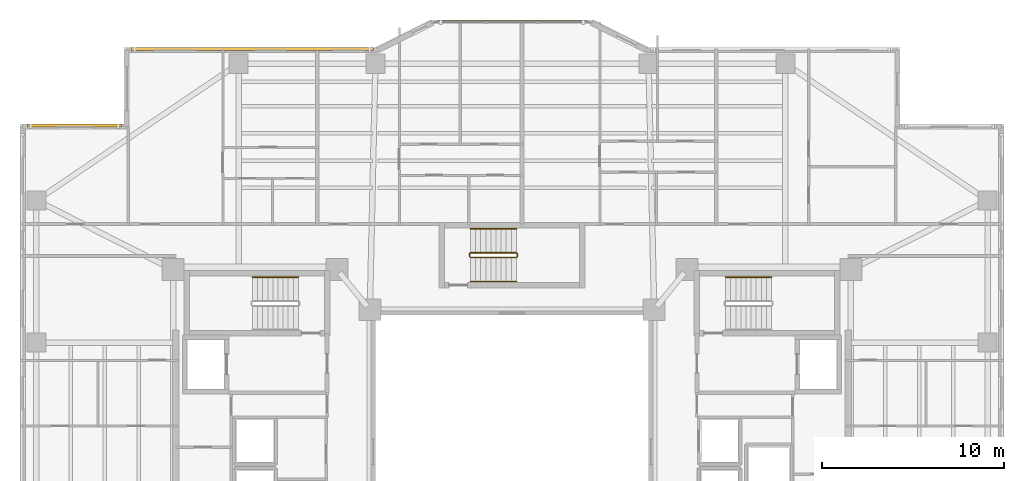
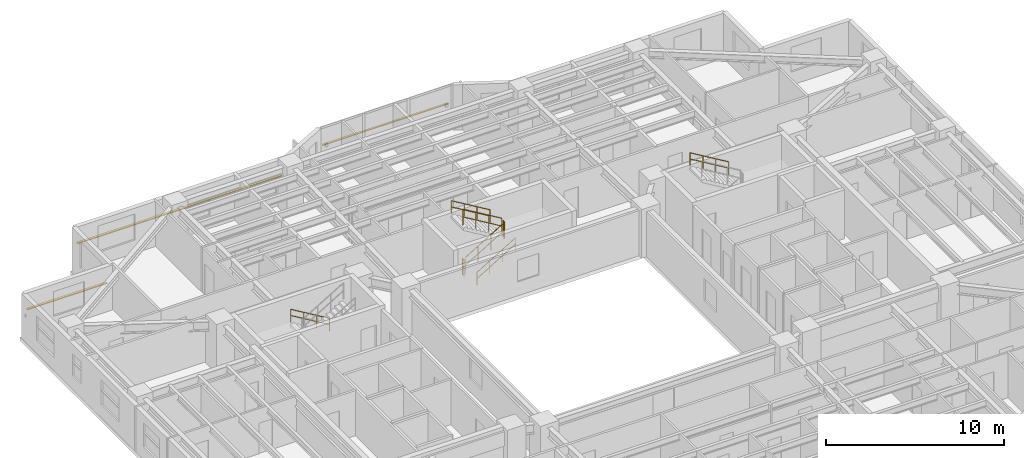
# One storey, part 18 of 19: 8 railings, 3 shading devices.
"""IFC4 building model written with IfcOpenShell, lengths in metres."""

from ifc_helpers import new_model, si_unit, direction, frame, origin, origin_2d, place, context, subcontext, project, spatial, rectangle, circle, extrude, material, material_profile, profile_set, type_object, element, save


model = new_model("IFC4")

# Units and contexts
model_context = context("Model", 3, precision=1e-05, world=origin(), true_north=direction((0.0, 1.0)))
body_context = subcontext(model_context, "Body", "Model", "MODEL_VIEW")
ifc_project = project(units=[si_unit("LENGTHUNIT", "METRE"), si_unit("AREAUNIT", "SQUARE_METRE"), si_unit("VOLUMEUNIT", "CUBIC_METRE"), si_unit("PLANEANGLEUNIT", "RADIAN"), si_unit("MASSUNIT", "GRAM", prefix="KILO")], contexts=[model_context])

# Site, building, storey
site_placement = place(None, origin())
site = spatial("IfcSite", under=ifc_project, at=site_placement, CompositionType="ELEMENT")
building_placement = place(site_placement, origin())
building = spatial("IfcBuilding", under=site, at=building_placement, Name="Tarnavaz Court Tower", CompositionType="ELEMENT")
storey_placement = place(building_placement, frame((0.0, 0.0, 111.800048828125)))
storey = spatial("IfcBuildingStorey", under=building, at=storey_placement, Name="L30", CompositionType="ELEMENT", Elevation=111.800048828125)

# Railings
ifc_material_1 = material(Name="Brushed Stainless Steel", Category="steel")
railing_type_1 = type_object("IfcRailingType", Name="RL-HANDRAIL-900", PredefinedType="HANDRAIL", material=ifc_material_1)
railing_1_placement = place(storey_placement, frame((-11.719970703125, 9.590087890625, 0.16748046875)))
element("IfcRailing", 1, at=railing_1_placement, inside=storey, type_object=railing_type_1, Name="L30 ST-W1 stair handrail 1", PredefinedType="HANDRAIL", context=body_context, shape_type="SweptSolid", body=[
    extrude(circle(Radius=0.02392578125, at=origin_2d()), frame((0.0, 0.0, 0.8759765625), z_axis=(-0.858159760407, 0.0, 0.513382728203), x_axis=(0.0, -1.0, 0.0)), (0.0, 0.0, 1.0), 2.9365234375),
    extrude(circle(Radius=0.02392578125, at=origin_2d()), frame((0.0, 0.0, 0.449951171875), z_axis=(-0.858159760407, 0.0, 0.513382728203), x_axis=(0.0, -1.0, 0.0)), (0.0, 0.0, 1.0), 2.9365234375),
    extrude(circle(Radius=0.02099609375, at=origin_2d()), origin(), (0.0, 0.0, 1.0), 0.851806640625),
    extrude(circle(Radius=0.02099609375, at=origin_2d()), frame((-0.840087890625, 0.0, 0.50244140625)), (0.0, 0.0, 1.0), 0.851806640625),
    extrude(circle(Radius=0.02099609375, at=origin_2d()), frame((-1.679931640625, 0.0, 1.005126953125)), (0.0, 0.0, 1.0), 0.851806640625),
    extrude(circle(Radius=0.02099609375, at=origin_2d()), frame((-2.52001953125, 0.0, 1.507568359375)), (0.0, 0.0, 1.0), 0.851806640625),
])
railing_2_placement = place(storey_placement, frame((14.239990234375, 9.590087890625, 1.842529296875)))
element("IfcRailing", 2, at=railing_2_placement, inside=storey, type_object=railing_type_1, Name="L30 ST-E1 stair handrail 2", PredefinedType="HANDRAIL", context=body_context, shape_type="SweptSolid", body=[
    extrude(circle(Radius=0.02392578125, at=origin_2d()), frame((0.0, 0.0, 0.8759765625), z_axis=(-0.858196387827, 0.0, 0.513321497621), x_axis=(0.0, -1.0, 0.0)), (0.0, 0.0, 1.0), 2.9365234375),
    extrude(circle(Radius=0.02392578125, at=origin_2d()), frame((0.0, 0.0, 0.449951171875), z_axis=(-0.858196387827, 0.0, 0.513321497621), x_axis=(0.0, -1.0, 0.0)), (0.0, 0.0, 1.0), 2.9365234375),
    extrude(circle(Radius=0.02099609375, at=origin_2d()), origin(), (0.0, 0.0, 1.0), 0.851806640625),
    extrude(circle(Radius=0.02099609375, at=origin_2d()), frame((-0.840087890625, 0.0, 0.50244140625)), (0.0, 0.0, 1.0), 0.851806640625),
    extrude(circle(Radius=0.02099609375, at=origin_2d()), frame((-1.679931640625, 0.0, 1.0048828125)), (0.0, 0.0, 1.0), 0.851806640625),
    extrude(circle(Radius=0.02099609375, at=origin_2d()), frame((-2.52001953125, 0.0, 1.50732421875)), (0.0, 0.0, 1.0), 0.851806640625),
])
railing_3_placement = place(storey_placement, frame((-2.280029296875, 9.35009765625, 0.16748046875)))
element("IfcRailing", 3, at=railing_3_placement, inside=storey, type_object=railing_type_1, Name="L30 ST-N1 stair handrail 1", PredefinedType="HANDRAIL", context=body_context, shape_type="SweptSolid", body=[
    extrude(circle(Radius=0.02392578125, at=origin_2d()), frame((0.0, 0.0, 0.8759765625), z_axis=(0.858159760407, 0.0, 0.513382728203), x_axis=(0.0, 1.0, 0.0)), (0.0, 0.0, 1.0), 2.9365234375),
    extrude(circle(Radius=0.02392578125, at=origin_2d()), frame((0.0, 0.0, 0.449951171875), z_axis=(0.858159760407, 0.0, 0.513382728203), x_axis=(0.0, 1.0, 0.0)), (0.0, 0.0, 1.0), 2.9365234375),
    extrude(circle(Radius=0.02099609375, at=origin_2d()), origin(), (0.0, 0.0, 1.0), 0.851806640625),
    extrude(circle(Radius=0.02099609375, at=origin_2d()), frame((0.840087890625, 0.0, 0.50244140625)), (0.0, 0.0, 1.0), 0.851806640625),
    extrude(circle(Radius=0.02099609375, at=origin_2d()), frame((1.679931640625, 0.0, 1.005126953125)), (0.0, 0.0, 1.0), 0.851806640625),
    extrude(circle(Radius=0.02099609375, at=origin_2d()), frame((2.52001953125, 0.0, 1.507568359375)), (0.0, 0.0, 1.0), 0.851806640625),
])
railing_4_placement = place(storey_placement, frame((0.239990234375, 12.239990234375, 1.842529296875)))
element("IfcRailing", 4, at=railing_4_placement, inside=storey, type_object=railing_type_1, Name="L30 ST-N1 stair handrail 2", PredefinedType="HANDRAIL", context=body_context, shape_type="SweptSolid", body=[
    extrude(circle(Radius=0.02392578125, at=origin_2d()), frame((0.0, 0.0, 0.8759765625), z_axis=(-0.858196387827, 0.0, 0.513321497621), x_axis=(0.0, -1.0, 0.0)), (0.0, 0.0, 1.0), 2.9365234375),
    extrude(circle(Radius=0.02392578125, at=origin_2d()), frame((0.0, 0.0, 0.449951171875), z_axis=(-0.858196387827, 0.0, 0.513321497621), x_axis=(0.0, -1.0, 0.0)), (0.0, 0.0, 1.0), 2.9365234375),
    extrude(circle(Radius=0.02099609375, at=origin_2d()), origin(), (0.0, 0.0, 1.0), 0.851806640625),
    extrude(circle(Radius=0.02099609375, at=origin_2d()), frame((-0.840087890625, 0.0, 0.50244140625)), (0.0, 0.0, 1.0), 0.851806640625),
    extrude(circle(Radius=0.02099609375, at=origin_2d()), frame((-1.679931640625, 0.0, 1.0048828125)), (0.0, 0.0, 1.0), 0.851806640625),
    extrude(circle(Radius=0.02099609375, at=origin_2d()), frame((-2.52001953125, 0.0, 1.50732421875)), (0.0, 0.0, 1.0), 0.851806640625),
])
ifc_material_2 = material(Name="Galvanized Painted Tubular Steel", Category="steel")
railing_type_2 = type_object("IfcRailingType", Name="RL-STGUARD-1120", PredefinedType="GUARDRAIL", material=ifc_material_2)
railing_5_placement = place(storey_placement, frame((-2.280029296875, 10.669921875, 0.16748046875)))
element("IfcRailing", 5, at=railing_5_placement, inside=storey, type_object=railing_type_2, Name="L30 ST-N1 stair guard 1", PredefinedType="GUARDRAIL", context=body_context, shape_type="SweptSolid", body=[
    extrude(circle(Radius=0.02392578125, at=origin_2d()), frame((0.0, 0.0, 1.09619140625), z_axis=(0.858159760407, 0.0, 0.513382728203), x_axis=(0.0, 1.0, 0.0)), (0.0, 0.0, 1.0), 2.9365234375),
    extrude(circle(Radius=0.02392578125, at=origin_2d()), frame((0.0, 0.0, 0.56005859375), z_axis=(0.858159760407, 0.0, 0.513382728203), x_axis=(0.0, 1.0, 0.0)), (0.0, 0.0, 1.0), 2.9365234375),
    extrude(circle(Radius=0.02099609375, at=origin_2d()), origin(), (0.0, 0.0, 1.0), 1.072021484375),
    extrude(circle(Radius=0.02099609375, at=origin_2d()), frame((0.840087890625, 0.0, 0.50244140625)), (0.0, 0.0, 1.0), 1.072021484375),
    extrude(circle(Radius=0.02099609375, at=origin_2d()), frame((1.679931640625, 0.0, 1.005126953125)), (0.0, 0.0, 1.0), 1.072021484375),
    extrude(circle(Radius=0.02099609375, at=origin_2d()), frame((2.52001953125, 0.0, 1.507568359375)), (0.0, 0.0, 1.0), 1.072021484375),
])
railing_6_placement = place(storey_placement, frame((0.2900390625, 10.719970703125, 1.675048828125)))
element("IfcRailing", 6, at=railing_6_placement, inside=storey, type_object=railing_type_2, Name="L30 ST-N1 stair guard 2", PredefinedType="GUARDRAIL", context=body_context, shape_type="SweptSolid", body=[
    extrude(circle(Radius=0.02392578125, at=origin_2d()), frame((0.0, 0.0, 1.09619140625), z_axis=(0.0, 1.0, 0.0), x_axis=(-1.0, 0.0, 0.0)), (0.0, 0.0, 1.0), 0.150146484375),
    extrude(circle(Radius=0.02392578125, at=origin_2d()), frame((0.0, 0.0, 0.56005859375), z_axis=(0.0, 1.0, 0.0), x_axis=(-1.0, 0.0, 0.0)), (0.0, 0.0, 1.0), 0.150146484375),
    extrude(circle(Radius=0.02099609375, at=origin_2d()), origin(), (0.0, 0.0, 1.0), 1.072021484375),
    extrude(circle(Radius=0.02099609375, at=origin_2d()), frame((0.0, 0.150146484375, 0.0)), (0.0, 0.0, 1.0), 1.072021484375),
])
railing_7_placement = place(storey_placement, frame((0.239990234375, 10.919921875, 1.842529296875)))
element("IfcRailing", 7, at=railing_7_placement, inside=storey, type_object=railing_type_2, Name="L30 ST-N1 stair guard 3", PredefinedType="GUARDRAIL", context=body_context, shape_type="SweptSolid", body=[
    extrude(circle(Radius=0.02392578125, at=origin_2d()), frame((0.0, 0.0, 1.09619140625), z_axis=(-0.858196387827, 0.0, 0.513321497621), x_axis=(0.0, -1.0, 0.0)), (0.0, 0.0, 1.0), 2.9365234375),
    extrude(circle(Radius=0.02392578125, at=origin_2d()), frame((0.0, 0.0, 0.56005859375), z_axis=(-0.858196387827, 0.0, 0.513321497621), x_axis=(0.0, -1.0, 0.0)), (0.0, 0.0, 1.0), 2.9365234375),
    extrude(circle(Radius=0.02099609375, at=origin_2d()), origin(), (0.0, 0.0, 1.0), 1.072021484375),
    extrude(circle(Radius=0.02099609375, at=origin_2d()), frame((-0.840087890625, 0.0, 0.50244140625)), (0.0, 0.0, 1.0), 1.072021484375),
    extrude(circle(Radius=0.02099609375, at=origin_2d()), frame((-1.679931640625, 0.0, 1.0048828125)), (0.0, 0.0, 1.0), 1.072021484375),
    extrude(circle(Radius=0.02099609375, at=origin_2d()), frame((-2.52001953125, 0.0, 1.50732421875)), (0.0, 0.0, 1.0), 1.072021484375),
])
railing_8_placement = place(storey_placement, frame((-2.330078125, 10.719970703125, 0.0)))
element("IfcRailing", 8, at=railing_8_placement, inside=storey, type_object=railing_type_2, Name="L30 ST-N1 stair guard 4", PredefinedType="GUARDRAIL", context=body_context, shape_type="SweptSolid", body=[
    extrude(circle(Radius=0.02392578125, at=origin_2d()), frame((0.0, 0.0, 1.09619140625), z_axis=(0.0, 1.0, 0.0), x_axis=(-1.0, 0.0, 0.0)), (0.0, 0.0, 1.0), 0.150146484375),
    extrude(circle(Radius=0.02392578125, at=origin_2d()), frame((0.0, 0.0, 0.56005859375), z_axis=(0.0, 1.0, 0.0), x_axis=(-1.0, 0.0, 0.0)), (0.0, 0.0, 1.0), 0.150146484375),
    extrude(circle(Radius=0.02099609375, at=origin_2d()), origin(), (0.0, 0.0, 1.0), 1.072021484375),
    extrude(circle(Radius=0.02099609375, at=origin_2d()), frame((0.0, 0.150146484375, 0.0)), (0.0, 0.0, 1.0), 1.072021484375),
])

# Shading devices
ifc_material_3 = material(Name="Kiln-Fired Khorasan Terracotta Ceramic", Category="masonry")
ifc_material_profile_1 = material_profile(ifc_material_3, rectangle(XDim=0.1201171875, YDim=0.06005859375, at=origin_2d()), Name="TC BAGUETTE 120X60")
ifc_profile_set_1 = profile_set([ifc_material_profile_1], Name="Kiln-Fired Khorasan Terracotta Ceramic")
shading_device_type_1 = type_object("IfcShadingDeviceType", Name="SD-BAG-120", PredefinedType="USERDEFINED", material=ifc_profile_set_1)
shading_device_1_placement = place(storey_placement, frame((-4.10009765625, 23.610107421875, 1.800048828125), z_axis=(1.0, 0.0, 0.0), x_axis=(0.0, 1.0, 0.0)))
element("IfcShadingDevice", 9, at=shading_device_1_placement, inside=storey, type_object=shading_device_type_1, Name="L30 Terracotta Baguette Screen PBG7", ObjectType="BAGUETTE", PredefinedType="USERDEFINED", context=body_context, shape_type="SweptSolid", body=[
    extrude(rectangle(XDim=0.1201171875, YDim=0.06005859375, at=origin_2d()), origin(), (0.0, 0.0, 1.0), 8.2001953125),
])
ifc_material_profile_2 = material_profile(ifc_material_3, rectangle(XDim=0.14990234375, YDim=0.06494140625, at=origin_2d()), Name="TC BAGUETTE 150X65")
ifc_profile_set_2 = profile_set([ifc_material_profile_2], Name="Kiln-Fired Khorasan Terracotta Ceramic")
shading_device_type_2 = type_object("IfcShadingDeviceType", Name="SD-BAG-150", PredefinedType="USERDEFINED", material=ifc_profile_set_2)
shading_device_2_placement = place(storey_placement, frame((-26.60009765625, 17.909912109375, 1.849853515625), z_axis=(1.0, 0.0, 0.0), x_axis=(0.0, 1.0, 0.0)))
element("IfcShadingDevice", 10, at=shading_device_2_placement, inside=storey, type_object=shading_device_type_2, Name="L30 Terracotta Baguette Screen FBG03", ObjectType="BAGUETTE", PredefinedType="USERDEFINED", context=body_context, shape_type="SweptSolid", body=[
    extrude(rectangle(XDim=0.14990234375, YDim=0.06494140625, at=origin_2d()), origin(), (0.0, 0.0, 1.0), 5.2001953125),
])
shading_device_3_placement = place(storey_placement, frame((-20.89990234375, 22.110107421875, 1.849853515625), z_axis=(1.0, 0.0, 0.0), x_axis=(0.0, 1.0, 0.0)))
element("IfcShadingDevice", 11, at=shading_device_3_placement, inside=storey, type_object=shading_device_type_2, Name="L30 Terracotta Baguette Screen FBG05", ObjectType="BAGUETTE", PredefinedType="USERDEFINED", context=body_context, shape_type="SweptSolid", body=[
    extrude(rectangle(XDim=0.14990234375, YDim=0.06494140625, at=origin_2d()), origin(), (0.0, 0.0, 1.0), 13.2998046875),
])

save(model, "model.ifc")
